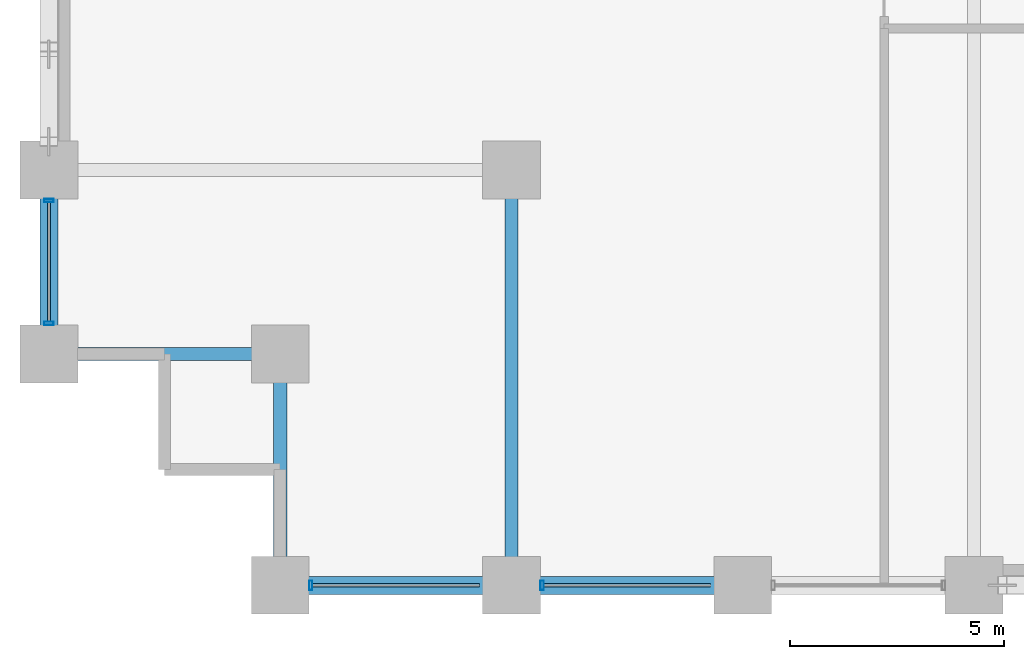
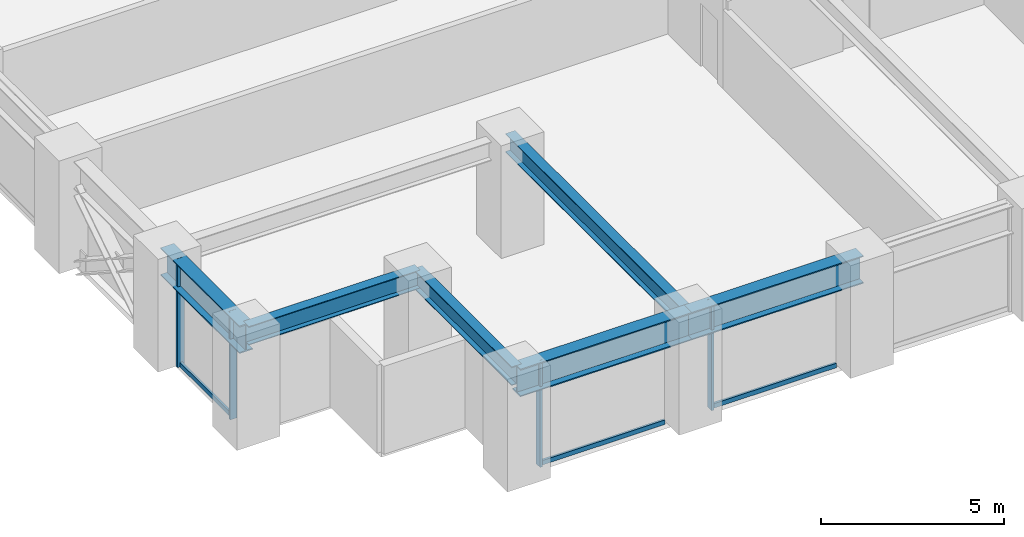
# One storey, part 2 of 24: 7 members, 6 beams, 2 elements without a shape of their own.
"""IFC4 building model written with IfcOpenShell, lengths in metres."""

from ifc_helpers import new_model, si_unit, direction, frame, origin, origin_2d, place, context, subcontext, project, spatial, hollow_rectangle, i_section, extrude, material, layer, layer_set, material_profile, profile_set, type_object, element, aggregate, save


model = new_model("IFC4")

# Units and contexts
model_context = context("Model", 3, precision=1e-05, world=origin(), true_north=direction((0.0, 1.0)))
body_context = subcontext(model_context, "Body", "Model", "MODEL_VIEW")
ifc_project = project(units=[si_unit("LENGTHUNIT", "METRE"), si_unit("AREAUNIT", "SQUARE_METRE"), si_unit("VOLUMEUNIT", "CUBIC_METRE"), si_unit("PLANEANGLEUNIT", "RADIAN"), si_unit("MASSUNIT", "GRAM", prefix="KILO")], contexts=[model_context])

# Site, building, storey
site_placement = place(None, origin())
site = spatial("IfcSite", under=ifc_project, at=site_placement, CompositionType="ELEMENT")
building_placement = place(site_placement, origin())
building = spatial("IfcBuilding", under=site, at=building_placement, Name="Surkhivell Harbour Commons", CompositionType="ELEMENT")
storey_placement = place(building_placement, frame((0.0, 0.0, 26.25)))
storey = spatial("IfcBuildingStorey", under=building, at=storey_placement, Name="L06", CompositionType="ELEMENT", Elevation=26.25)

# Beams
ifc_material_1 = material(Name="Steel S355", Category="steel")
ifc_material_profile_1 = material_profile(ifc_material_1, i_section(OverallWidth=0.306884765625, OverallDepth=0.6201171875, WebThickness=0.01416015625, FlangeThickness=0.023681640625, at=origin_2d()), Name="UB610x305x179")
ifc_profile_set_1 = profile_set([ifc_material_profile_1], Name="Steel S355")
beam_type_1 = type_object("IfcBeamType", Name="BM-GRD-610A", PredefinedType="BEAM", material=ifc_profile_set_1)
for number, where, z_axis, x_axis, name in (
    (1, (-32.39990234375, -20.5, 3.260009765625), (1.0, 0.0, 0.0), (0.0, 1.0, 0.0), "L06 Floor Girder (-32.4,-20.5)"),
    (2, (-27.0, -25.89990234375, 3.260009765625), (0.0, 1.0, 0.0), (-1.0, 0.0, 0.0), "L06 Floor Girder (-27.0,-25.9)"),
):
    element("IfcBeam", number, at=place(storey_placement, frame(where, z_axis=z_axis, x_axis=x_axis)), inside=storey, type_object=beam_type_1, Name=name, PredefinedType="BEAM", context=body_context, shape_type="SweptSolid", body=[
        extrude(i_section(OverallWidth=0.306884765625, OverallDepth=0.6201171875, WebThickness=0.01416015625, FlangeThickness=0.023681640625, at=origin_2d()), origin(), (0.0, 0.0, 1.0), 5.39990234375),
    ])
beam_1_placement = place(storey_placement, frame((-21.60009765625, -25.89990234375, 3.260009765625), z_axis=(0.0, 1.0, 0.0), x_axis=(-1.0, 0.0, 0.0)))
element("IfcBeam", 3, at=beam_1_placement, inside=storey, type_object=beam_type_1, Name="L06 Floor Girder (-21.6,-25.9)", PredefinedType="BEAM", context=body_context, shape_type="SweptSolid", body=[
    extrude(i_section(OverallWidth=0.306884765625, OverallDepth=0.6201171875, WebThickness=0.01416015625, FlangeThickness=0.023681640625, at=origin_2d()), origin(), (0.0, 0.0, 1.0), 9.699951171875),
])
ifc_material_2 = material(Name="Steel S460", Category="steel")
ifc_material_profile_2 = material_profile(ifc_material_2, i_section(OverallWidth=0.419921875, OverallDepth=0.9208984375, WebThickness=0.021484375, FlangeThickness=0.03662109375, at=origin_2d()), Name="UB914x419x388")
ifc_profile_set_2 = profile_set([ifc_material_profile_2], Name="Steel S460")
beam_type_2 = type_object("IfcBeamType", Name="BM-SPN-914A", PredefinedType="SPANDREL", material=ifc_profile_set_2)
beam_2_placement = place(storey_placement, frame((-32.39990234375, -20.5, 3.109619140625), z_axis=(0.0, 1.0, 0.0), x_axis=(-1.0, 0.0, 0.0)))
element("IfcBeam", 4, at=beam_2_placement, inside=storey, type_object=beam_type_2, Name="L06 Tube Spandrel (-32.4,-20.5)", PredefinedType="SPANDREL", context=body_context, shape_type="SweptSolid", body=[
    extrude(i_section(OverallWidth=0.419921875, OverallDepth=0.9208984375, WebThickness=0.021484375, FlangeThickness=0.03662109375, at=origin_2d()), origin(), (0.0, 0.0, 1.0), 4.300048828125),
])
beam_3_placement = place(storey_placement, frame((-27.0, -25.89990234375, 3.109619140625), z_axis=(1.0, 0.0, 0.0), x_axis=(0.0, 1.0, 0.0)))
element("IfcBeam", 5, at=beam_3_placement, inside=storey, type_object=beam_type_2, Name="L06 Tube Spandrel (-27.0,-25.9)", PredefinedType="SPANDREL", context=body_context, shape_type="SweptSolid", body=[
    extrude(i_section(OverallWidth=0.419921875, OverallDepth=0.9208984375, WebThickness=0.021484375, FlangeThickness=0.03662109375, at=origin_2d()), origin(), (0.0, 0.0, 1.0), 5.39990234375),
])
beam_4_placement = place(storey_placement, frame((-21.60009765625, -25.89990234375, 3.109619140625), z_axis=(1.0, 0.0, 0.0), x_axis=(0.0, 1.0, 0.0)))
element("IfcBeam", 6, at=beam_4_placement, inside=storey, type_object=beam_type_2, Name="L06 Tube Spandrel (-21.6,-25.9)", PredefinedType="SPANDREL", context=body_context, shape_type="SweptSolid", body=[
    extrude(i_section(OverallWidth=0.419921875, OverallDepth=0.9208984375, WebThickness=0.021484375, FlangeThickness=0.03662109375, at=origin_2d()), origin(), (0.0, 0.0, 1.0), 5.400146484375),
])

# Curtain wall, members
ifc_material_3 = material(Name="Anodised pale-metal aluminium and insulated glazing", Category="aluminium")
ifc_layer = layer(ifc_material_3, 0.219970703125)
ifc_layer_set = layer_set([ifc_layer], Name="Anodised pale-metal aluminium and insulated glazing")
curtain_wall_type = type_object("IfcCurtainWallType", Name="CW-SYS-Z1", PredefinedType="NOTDEFINED", material=ifc_layer_set)
curtain_wall_1_placement = place(storey_placement, origin())
curtain_wall_1 = element("IfcCurtainWall", 7, at=curtain_wall_1_placement, inside=storey, type_object=curtain_wall_type, Name="L06 Curtain Wall CW-L06-E00S1", PredefinedType="NOTDEFINED")
ifc_material_4 = material(Name="Anodised pale-metal aluminium alloy 6063-T6", Category="aluminium")
ifc_material_profile_3 = material_profile(ifc_material_4, hollow_rectangle(XDim=0.074951171875, YDim=0.219970703125, WallThickness=0.00390625, at=origin_2d()), Name="ALU-MULL-75x220")
ifc_profile_set_3 = profile_set([ifc_material_profile_3], Name="Anodised pale-metal aluminium alloy 6063-T6")
member_type_1 = type_object("IfcMemberType", Name="CWM-220", PredefinedType="MULLION", material=ifc_profile_set_3)
member_1_placement = place(storey_placement, frame((-26.285400390625, -25.89990234375, 0.0), z_axis=(0.0, 0.0, 1.0), x_axis=(1.0, 0.0, 0.0)))
member_1 = element("IfcMember", 8, at=member_1_placement, type_object=member_type_1, Name="CW-Z1 mullion 1", PredefinedType="MULLION", context=body_context, shape_type="SweptSolid", body=[
    extrude(hollow_rectangle(XDim=0.074951171875, YDim=0.219970703125, WallThickness=0.00390625, at=origin_2d()), origin(), (0.0, 0.0, 1.0), 3.570068359375),
])
member_2_placement = place(storey_placement, frame((-20.885498046875, -25.89990234375, 0.0), z_axis=(0.0, 0.0, 1.0), x_axis=(1.0, 0.0, 0.0)))
member_2 = element("IfcMember", 9, at=member_2_placement, type_object=member_type_1, Name="CW-Z1 mullion 2", PredefinedType="MULLION", context=body_context, shape_type="SweptSolid", body=[
    extrude(hollow_rectangle(XDim=0.074951171875, YDim=0.219970703125, WallThickness=0.00390625, at=origin_2d()), origin(), (0.0, 0.0, 1.0), 3.570068359375),
])

curtain_wall_2_placement = place(storey_placement, origin())
curtain_wall_2 = element("IfcCurtainWall", 10, at=curtain_wall_2_placement, inside=storey, type_object=curtain_wall_type, Name="L06 Curtain Wall CW-L06-E12S2", PredefinedType="NOTDEFINED")
member_3_placement = place(storey_placement, frame((-32.39990234375, -16.91455078125, 0.0), z_axis=(0.0, 0.0, 1.0), x_axis=(0.0, -1.0, 0.0)))
member_3 = element("IfcMember", 11, at=member_3_placement, type_object=member_type_1, Name="CW-Z1 mullion 1", PredefinedType="MULLION", context=body_context, shape_type="SweptSolid", body=[
    extrude(hollow_rectangle(XDim=0.074951171875, YDim=0.219970703125, WallThickness=0.00390625, at=origin_2d()), origin(), (0.0, 0.0, 1.0), 3.570068359375),
])
member_4_placement = place(storey_placement, frame((-32.39990234375, -19.785400390625, 0.0), z_axis=(0.0, 0.0, 1.0), x_axis=(0.0, -1.0, 0.0)))
member_4 = element("IfcMember", 12, at=member_4_placement, type_object=member_type_1, Name="CW-Z1 mullion 2", PredefinedType="MULLION", context=body_context, shape_type="SweptSolid", body=[
    extrude(hollow_rectangle(XDim=0.074951171875, YDim=0.219970703125, WallThickness=0.00390625, at=origin_2d()), origin(), (0.0, 0.0, 1.0), 3.570068359375),
])

# Member
ifc_material_profile_4 = material_profile(ifc_material_4, hollow_rectangle(XDim=0.074951171875, YDim=0.14990234375, WallThickness=0.00341796875, at=origin_2d()), Name="ALU-TRAN-75x150")
ifc_profile_set_4 = profile_set([ifc_material_profile_4], Name="Anodised pale-metal aluminium alloy 6063-T6")
member_type_2 = type_object("IfcMemberType", Name="CWT-150", PredefinedType="USERDEFINED", material=ifc_profile_set_4)
member_5_placement = place(storey_placement, frame((-26.248046875, -25.89990234375, 0.074951171875), z_axis=(1.0, 0.0, 0.0), x_axis=(0.0, 1.0, 0.0)))
member_5 = element("IfcMember", 13, at=member_5_placement, type_object=member_type_2, Name="CW-Z1 transom 1.1", ObjectType="TRANSOM", PredefinedType="USERDEFINED", context=body_context, shape_type="SweptSolid", body=[
    extrude(hollow_rectangle(XDim=0.074951171875, YDim=0.14990234375, WallThickness=0.00341796875, at=origin_2d()), origin(), (0.0, 0.0, 1.0), 3.89599609375),
])

member_6_placement = place(storey_placement, frame((-20.847900390625, -25.89990234375, 0.074951171875), z_axis=(1.0, 0.0, 0.0), x_axis=(0.0, 1.0, 0.0)))
member_6 = element("IfcMember", 14, at=member_6_placement, type_object=member_type_2, Name="CW-Z1 transom 2.1", ObjectType="TRANSOM", PredefinedType="USERDEFINED", context=body_context, shape_type="SweptSolid", body=[
    extrude(hollow_rectangle(XDim=0.074951171875, YDim=0.14990234375, WallThickness=0.00341796875, at=origin_2d()), origin(), (0.0, 0.0, 1.0), 3.89599609375),
])

aggregate(curtain_wall_1, [member_1, member_5, member_2, member_6])

member_7_placement = place(storey_placement, frame((-32.39990234375, -16.951904296875, 0.074951171875), z_axis=(0.0, -1.0, 0.0), x_axis=(1.0, 0.0, 0.0)))
member_7 = element("IfcMember", 15, at=member_7_placement, type_object=member_type_2, Name="CW-Z1 transom 1.1", ObjectType="TRANSOM", PredefinedType="USERDEFINED", context=body_context, shape_type="SweptSolid", body=[
    extrude(hollow_rectangle(XDim=0.074951171875, YDim=0.14990234375, WallThickness=0.00341796875, at=origin_2d()), origin(), (0.0, 0.0, 1.0), 2.796142578125),
])

aggregate(curtain_wall_2, [member_3, member_4, member_7])

save(model, "model.ifc")
